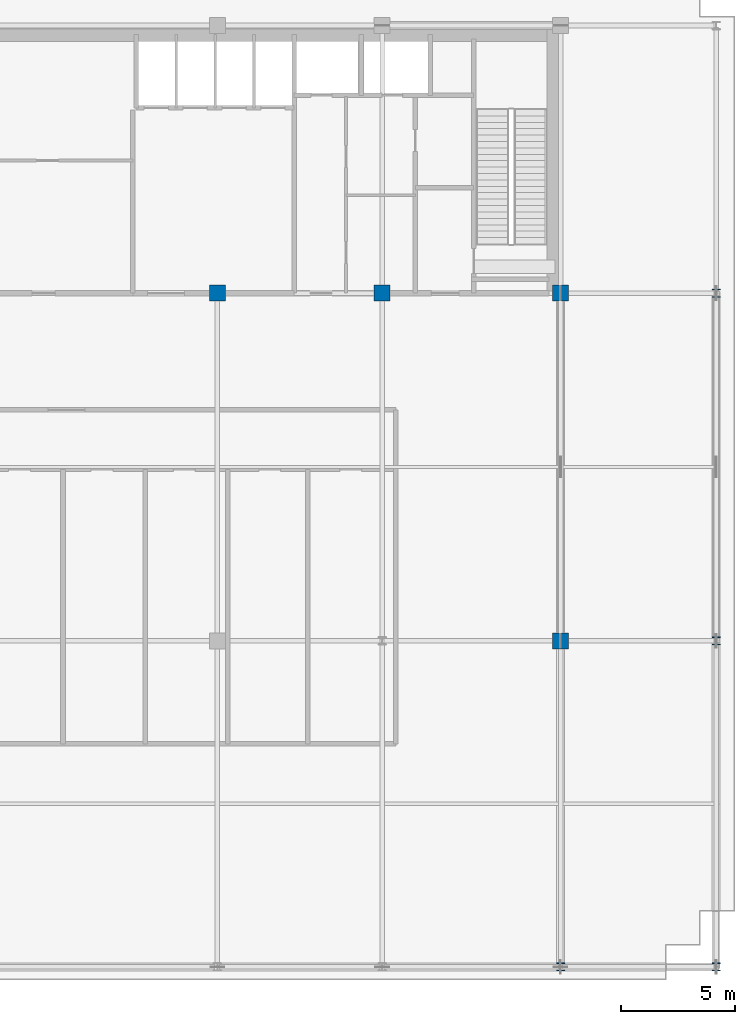
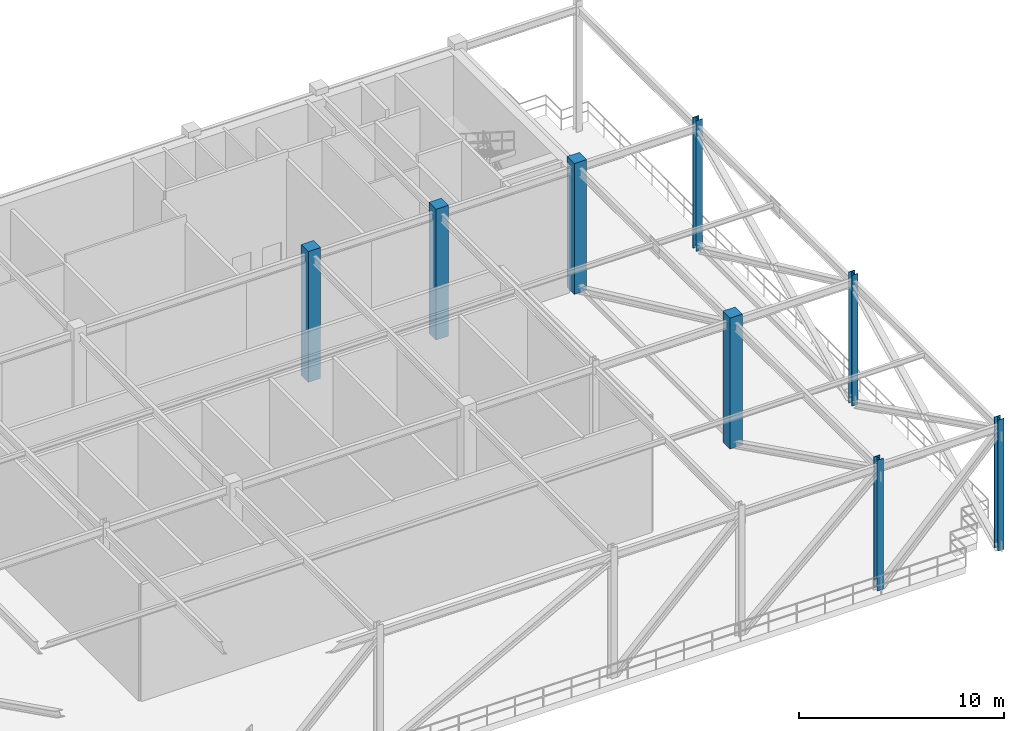
# One storey, part 2 of 15: 8 columns.
"""IFC4 building model written with IfcOpenShell, lengths in metres."""

from ifc_helpers import new_model, si_unit, direction, frame, origin, origin_2d, place, context, subcontext, project, spatial, rectangle, i_section, extrude, source, transform, mapped, material, material_profile, profile_set, type_object, element, save


model = new_model("IFC4")

# Units and contexts
model_context = context("Model", 3, precision=1e-05, world=origin(), true_north=direction((0.0, 1.0)))
body_context = subcontext(model_context, "Body", "Model", "MODEL_VIEW")
ifc_project = project(units=[si_unit("LENGTHUNIT", "METRE"), si_unit("AREAUNIT", "SQUARE_METRE"), si_unit("VOLUMEUNIT", "CUBIC_METRE"), si_unit("PLANEANGLEUNIT", "RADIAN"), si_unit("MASSUNIT", "GRAM", prefix="KILO")], contexts=[model_context])

# Site, building, storey
site_placement = place(None, origin())
site = spatial("IfcSite", under=ifc_project, at=site_placement, CompositionType="ELEMENT")
building_placement = place(site_placement, origin())
building = spatial("IfcBuilding", under=site, at=building_placement, Name="Trelvane Seafront Commons", CompositionType="ELEMENT")
storey_placement = place(building_placement, frame((0.0, 0.0, 240.89990234375)))
storey = spatial("IfcBuildingStorey", under=building, at=storey_placement, Name="L63", CompositionType="ELEMENT", Elevation=240.89990234375)

# Columns
ifc_material_1 = material(Name="Steel SM355 (S355)", Category="steel")
ifc_material_profile_1 = material_profile(ifc_material_1, i_section(OverallWidth=0.35009765625, OverallDepth=0.35009765625, WebThickness=0.01806640625, FlangeThickness=0.028076171875, at=origin_2d()), Name="HD-350x350x18x28")
ifc_profile_set_1 = profile_set([ifc_material_profile_1], Name="Steel SM355 (S355)")
column_type_1 = type_object("IfcColumnType", Name="STR-COL-HD350", PredefinedType="COLUMN", material=ifc_profile_set_1)
shared_shape_1 = source(origin(), body_context, "Body", "SweptSolid", [
    extrude(i_section(OverallWidth=0.35009765625, OverallDepth=0.35009765625, WebThickness=0.01806640625, FlangeThickness=0.028076171875, at=origin_2d()), origin(), (0.0, 0.0, 1.0), 7.800048828125),
])
for number, where, z_axis, x_axis, name in (
    (1, (58.800048828125, 3.949951171875, 0.0), (0.0, 0.0, 1.0), (1.0, 0.0, 0.0), "L63 Column TC-S58.8"),
    (2, (65.60009765625, 3.949951171875, 0.0), (0.0, 0.0, 1.0), (1.0, 0.0, 0.0), "L63 Column TC-S65.6"),
    (3, (65.60009765625, 18.199951171875, 0.0), (0.0, 0.0, 1.0), (1.0, 0.0, 0.0), "L63 Column TC-M65.6"),
    (4, (65.60009765625, 33.39990234375, 0.0), (0.0, 0.0, 1.0), (1.0, 0.0, 0.0), "L63 Column TC-CS65.6"),
):
    element("IfcColumn", number, at=place(storey_placement, frame(where, z_axis=z_axis, x_axis=x_axis)), inside=storey, type_object=column_type_1, Name=name, PredefinedType="COLUMN", context=body_context, shape_type="MappedRepresentation", body=[
        mapped(shared_shape_1, transform((0.0, 0.0, 0.0), x_axis=(1.0, 0.0, 0.0), y_axis=(0.0, 1.0, 0.0), z_axis=(0.0, 0.0, 1.0), scale=1.0)),
    ])
ifc_material_2 = material(Name="Concrete C50/60", Category="concrete")
ifc_material_profile_2 = material_profile(ifc_material_2, rectangle(XDim=0.699951171875, YDim=0.699951171875, at=origin_2d()), Name="RC-700x700")
ifc_profile_set_2 = profile_set([ifc_material_profile_2], Name="Concrete C50/60")
column_type_2 = type_object("IfcColumnType", Name="STR-COL-RC700", PredefinedType="COLUMN", material=ifc_profile_set_2)
shared_shape_2 = source(origin(), body_context, "Body", "SweptSolid", [
    extrude(rectangle(XDim=0.699951171875, YDim=0.699951171875, at=origin_2d()), origin(), (0.0, 0.0, 1.0), 7.800048828125),
])
for number, where, z_axis, x_axis, name in (
    (5, (43.800048828125, 33.39990234375, 0.0), (0.0, 0.0, 1.0), (1.0, 0.0, 0.0), "L63 Column TC-CS43.8"),
    (6, (51.0, 33.39990234375, 0.0), (0.0, 0.0, 1.0), (1.0, 0.0, 0.0), "L63 Column TC-CS51.0"),
    (7, (58.800048828125, 18.199951171875, 0.0), (0.0, 0.0, 1.0), (1.0, 0.0, 0.0), "L63 Column TC-M58.8"),
    (8, (58.800048828125, 33.39990234375, 0.0), (0.0, 0.0, 1.0), (1.0, 0.0, 0.0), "L63 Column TC-CS58.8"),
):
    element("IfcColumn", number, at=place(storey_placement, frame(where, z_axis=z_axis, x_axis=x_axis)), inside=storey, type_object=column_type_2, Name=name, PredefinedType="COLUMN", context=body_context, shape_type="MappedRepresentation", body=[
        mapped(shared_shape_2, transform((0.0, 0.0, 0.0), x_axis=(1.0, 0.0, 0.0), y_axis=(0.0, 1.0, 0.0), z_axis=(0.0, 0.0, 1.0), scale=1.0)),
    ])

save(model, "model.ifc")
